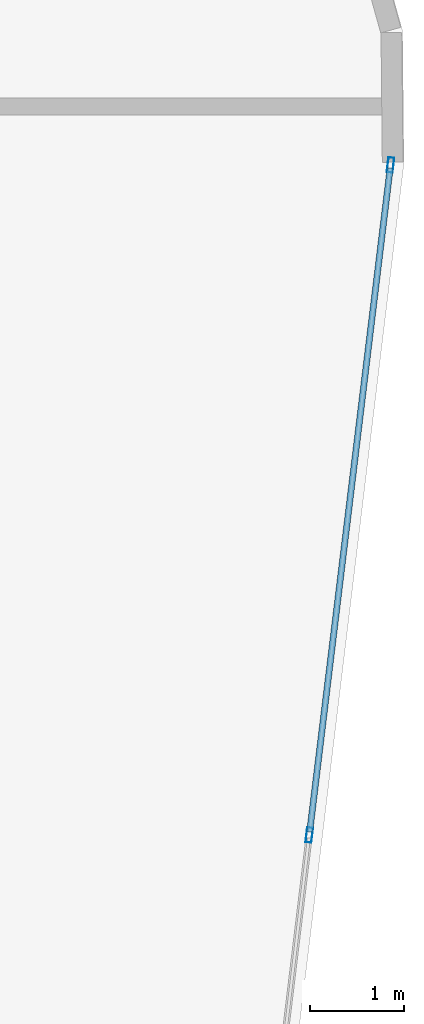
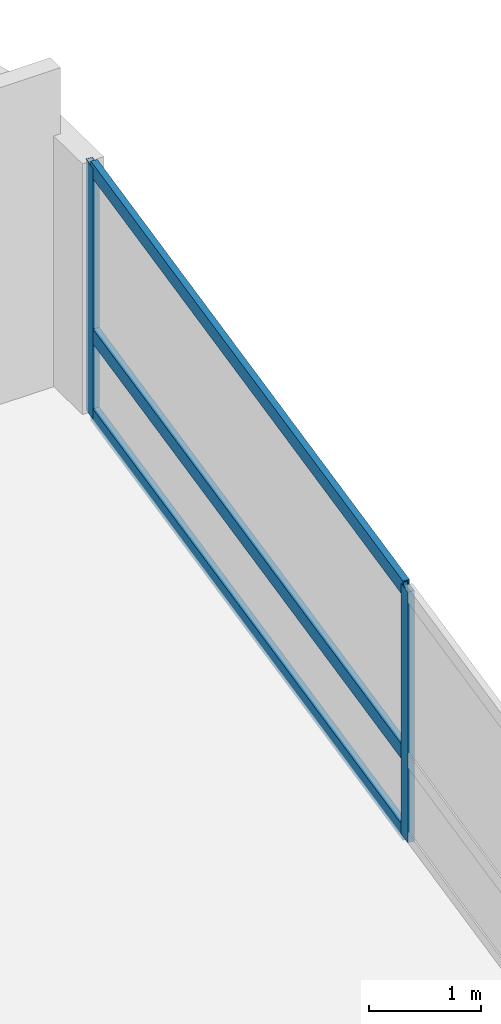
# One storey, part 18 of 26: 5 members, 1 element without a shape of its own.
"""IFC4 building model written with IfcOpenShell, lengths in metres."""

import ifcopenshell
import ifcopenshell.guid

model = None  # the IFC model being written
_history = None  # IfcOwnerHistory: only IFC2X3 demands one
_inside = {}  # id of a spatial element -> (the spatial element, [elements in it])
_under = {}  # id of a project, library or spatial element -> (it, [spatial elements below it])
_declared = {}  # id of a project -> (the project, [libraries it declares])
_typed = {}  # id of a type object -> (the type object, [elements of that type])
_made_of = {}  # id of a material, layer set ... -> (it, [elements and type objects made of it])


def new_model(schema):
    """Start an empty IFC model of exactly this schema.

    Asked for "IFC4X3", IfcOpenShell would pick the latest addendum, in which some entities
    have other attributes; the version numbers below select the first issue.
    IFC2X3 requires an IfcOwnerHistory on every rooted entity: one is made here for all.
    """
    global model, _history
    if schema == "IFC4X3":
        model = ifcopenshell.file(schema_version=(4, 3, 0, 0))
    else:
        model = ifcopenshell.file(schema=schema)
    _inside.clear()
    _under.clear()
    _declared.clear()
    _typed.clear()
    _made_of.clear()
    _history = None
    if model.schema == "IFC2X3":
        org = make("IfcOrganization", Name="unknown")
        user = make(
            "IfcPersonAndOrganization",
            ThePerson=make("IfcPerson", FamilyName="unknown"),
            TheOrganization=org,
        )
        app = make(
            "IfcApplication",
            ApplicationDeveloper=org,
            Version="unknown",
            ApplicationFullName="unknown",
            ApplicationIdentifier="unknown",
        )
        _history = make(
            "IfcOwnerHistory",
            OwningUser=user,
            OwningApplication=app,
            ChangeAction="ADDED",
            CreationDate=0,
        )
    return model


def make(cls, **values):
    """One entity of the class cls with the attributes given. An attribute that is None is left unset."""
    return model.create_entity(
        cls, **{name: value for name, value in values.items() if value is not None}
    )


def rooted(cls, **values):
    """An entity with a GlobalId (a new one), such as an element, a storey or a relation."""
    return make(cls, GlobalId=ifcopenshell.guid.new(), OwnerHistory=_history, **values)


def si_unit(unit_type, name, prefix=None):
    """IfcSIUnit, for example si_unit("LENGTHUNIT", "METRE", prefix="MILLI")."""
    return make("IfcSIUnit", UnitType=unit_type, Prefix=prefix, Name=name)


def assignment(units):
    """IfcUnitAssignment: the units of a project."""
    return None if units is None else make("IfcUnitAssignment", Units=units)


def point(xyz):
    """IfcCartesianPoint."""
    return None if xyz is None else make("IfcCartesianPoint", Coordinates=xyz)


def direction(xyz):
    """IfcDirection."""
    return None if xyz is None else make("IfcDirection", DirectionRatios=xyz)


def frame(location, z_axis=None, x_axis=None):
    """IfcAxis2Placement3D, a coordinate frame: its origin and axes. An axis left out is left unset."""
    return make(
        "IfcAxis2Placement3D",
        Location=point(location),
        Axis=direction(z_axis),
        RefDirection=direction(x_axis),
    )


def frame_2d(location, x_axis=None):
    """IfcAxis2Placement2D, a coordinate frame in the plane: its origin and x axis."""
    return make(
        "IfcAxis2Placement2D", Location=point(location), RefDirection=direction(x_axis)
    )


def origin():
    """The frame at (0, 0, 0) with its axes left unset."""
    return frame((0.0, 0.0, 0.0))


def origin_2d():
    """The frame at (0, 0) in the plane with its x axis left unset."""
    return frame_2d((0.0, 0.0))


def place(relative_to, where):
    """IfcLocalPlacement: puts the frame where relative to a parent placement (None: the world)."""
    return make(
        "IfcLocalPlacement", PlacementRelTo=relative_to, RelativePlacement=where
    )


def context(
    kind, dimensions, precision=None, world=None, true_north=None, identifier=None
):
    """IfcGeometricRepresentationContext, for example the 3D "Model" context."""
    return make(
        "IfcGeometricRepresentationContext",
        ContextIdentifier=identifier,
        ContextType=kind,
        CoordinateSpaceDimension=dimensions,
        Precision=precision,
        WorldCoordinateSystem=world,
        TrueNorth=true_north,
    )


def subcontext(parent, identifier, kind, view, scale=None):
    """IfcGeometricRepresentationSubContext, for example "Body" below "Model"."""
    return make(
        "IfcGeometricRepresentationSubContext",
        ContextIdentifier=identifier,
        ContextType=kind,
        ParentContext=parent,
        TargetScale=scale,
        TargetView=view,
    )


def project(units=None, contexts=None):
    """IfcProject with its units and contexts."""
    return rooted(
        "IfcProject",
        Name="project",
        RepresentationContexts=contexts,
        UnitsInContext=assignment(units),
    )


def spatial(cls, under=None, at=None, **own):
    """A site, building, storey or space (cls), placed at a placement, below another one or the project."""
    s = rooted(cls, ObjectPlacement=at, **own)
    if under is not None:
        _under.setdefault(under.id(), (under, []))[1].append(s)
    return s


def profile(cls, at=None, kind="AREA", **sizes):
    """A parametric profile (cls). Its sizes go by their IFC names, for example OverallWidth=200.0."""
    return make(cls, ProfileType=kind, Position=at, **sizes)


def hollow_rectangle(**sizes):
    """IfcRectangleHollowProfileDef."""
    return profile("IfcRectangleHollowProfileDef", **sizes)


def extrude(swept, where, along, depth):
    """IfcExtrudedAreaSolid: the profile swept, set in the frame where, extruded along a direction by depth."""
    return make(
        "IfcExtrudedAreaSolid",
        SweptArea=swept,
        Position=where,
        ExtrudedDirection=direction(along),
        Depth=depth,
    )


def shape(context_of_items, identifier, shape_type, items):
    """IfcShapeRepresentation: the items that make up one representation, for example the "Body"."""
    return make(
        "IfcShapeRepresentation",
        ContextOfItems=context_of_items,
        RepresentationIdentifier=identifier,
        RepresentationType=shape_type,
        Items=items,
    )


def material(Name=None, Category=None):
    """IfcMaterial."""
    return make("IfcMaterial", Name=Name, Category=Category)


def layer(
    of_material, thickness, ventilated=None, Name=None, Category=None, Priority=None
):
    """IfcMaterialLayer: one layer of a wall or slab, of a material (None: an air gap)."""
    return make(
        "IfcMaterialLayer",
        Material=of_material,
        LayerThickness=thickness,
        IsVentilated=ventilated,
        Name=Name,
        Category=Category,
        Priority=Priority,
    )


def layer_set(layers, Name=None):
    """IfcMaterialLayerSet."""
    return make("IfcMaterialLayerSet", MaterialLayers=layers, LayerSetName=Name)


def material_profile(
    of_material, cross_section, Name=None, Category=None, Priority=None
):
    """IfcMaterialProfile: a cross section and its material."""
    return make(
        "IfcMaterialProfile",
        Name=Name,
        Material=of_material,
        Profile=cross_section,
        Priority=Priority,
        Category=Category,
    )


def profile_set(profiles, Name=None, composite=None):
    """IfcMaterialProfileSet."""
    return make(
        "IfcMaterialProfileSet",
        Name=Name,
        MaterialProfiles=profiles,
        CompositeProfile=composite,
    )


def made_of(thing, what):
    """Note that an element or type object is made of a material, layer set ...; save() writes the relation."""
    if what is not None:
        _made_of.setdefault(what.id(), (what, []))[1].append(thing)
    return thing


def type_object(cls, material=None, **own):
    """A type object (cls), such as IfcWallType, which elements share."""
    return made_of(rooted(cls, **own), material)


def element(
    cls,
    number,
    at=None,
    inside=None,
    cuts=None,
    type_object=None,
    material=None,
    context=None,
    identifier="Body",
    shape_type=None,
    held_by="IfcProductDefinitionShape",
    body=None,
    shapes=None,
    **own,
):
    """One element of the class cls, such as IfcWall. Its Tag is "e" and its number.

    at: its placement. inside: the storey or other place that contains it. cuts: it is an
    opening in that element (IfcRelVoidsElement). A single representation is given by context,
    identifier, shape_type and body (its items); several are given by shapes. held_by: the class
    of the entity that holds the representations. save() writes the other relations.
    """
    e = rooted(cls, Tag="e%d" % number, ObjectPlacement=at, **own)
    if body is not None:
        shapes = [shape(context, identifier, shape_type, body)]
    if shapes is not None:
        e.Representation = make(held_by, Representations=shapes)
    if inside is not None:
        _inside.setdefault(inside.id(), (inside, []))[1].append(e)
    if cuts is not None:
        rooted(
            "IfcRelVoidsElement", RelatingBuildingElement=cuts, RelatedOpeningElement=e
        )
    if type_object is not None:
        _typed.setdefault(type_object.id(), (type_object, []))[1].append(e)
    return made_of(e, material)


def aggregate(whole, parts):
    """IfcRelAggregates: a whole, such as a stair, and the parts it consists of."""
    return rooted("IfcRelAggregates", RelatingObject=whole, RelatedObjects=parts)


def save(model, path):
    """Write the relations noted so far, then the file.

    IfcRelAggregates (storeys below a building ...), IfcRelContainedInSpatialStructure (elements
    in a storey), IfcRelDefinesByType, IfcRelAssociatesMaterial and IfcRelDeclares: one each for
    every whole, place, type object, material and project.
    """
    for whole, parts in _under.values():
        aggregate(whole, parts)
    for where, things in _inside.values():
        rooted(
            "IfcRelContainedInSpatialStructure",
            RelatedElements=things,
            RelatingStructure=where,
        )
    for kind, things in _typed.values():
        rooted("IfcRelDefinesByType", RelatedObjects=things, RelatingType=kind)
    for what, things in _made_of.values():
        rooted("IfcRelAssociatesMaterial", RelatedObjects=things, RelatingMaterial=what)
    for by, libraries in _declared.values():
        rooted("IfcRelDeclares", RelatingContext=by, RelatedDefinitions=libraries)
    model.write(path)


model = new_model("IFC4")

# Units and contexts
model_context = context("Model", 3, precision=1e-05, world=origin(), true_north=direction((0.0, 1.0)))
body_context = subcontext(model_context, "Body", "Model", "MODEL_VIEW")
ifc_project = project(units=[si_unit("LENGTHUNIT", "METRE"), si_unit("AREAUNIT", "SQUARE_METRE"), si_unit("VOLUMEUNIT", "CUBIC_METRE"), si_unit("PLANEANGLEUNIT", "RADIAN"), si_unit("MASSUNIT", "GRAM", prefix="KILO")], contexts=[model_context])

# Site, building, storey
site_placement = place(None, origin())
site = spatial("IfcSite", under=ifc_project, at=site_placement, CompositionType="ELEMENT")
building_placement = place(site_placement, origin())
building = spatial("IfcBuilding", under=site, at=building_placement, Name="Varnelok Gate Tower", CompositionType="ELEMENT")
storey_placement = place(building_placement, frame((0.0, 0.0, 155.0)))
storey = spatial("IfcBuildingStorey", under=building, at=storey_placement, Name="L39", CompositionType="ELEMENT", Elevation=155.0)

# Curtain wall, members
ifc_material = material(Name="Anodized Aluminum Alloy 6063-T6", Category="aluminium")
ifc_layer = layer(ifc_material, 0.179931640625)
ifc_layer_set = layer_set([ifc_layer], Name="Anodized Aluminum Alloy 6063-T6")
curtain_wall_type = type_object("IfcCurtainWallType", Name="CW3-HOTEL-VISION", PredefinedType="USERDEFINED", material=ifc_layer_set)
curtain_wall_placement = place(storey_placement, origin())
curtain_wall = element("IfcCurtainWall", 1, at=curtain_wall_placement, inside=storey, type_object=curtain_wall_type, Name="L39 East End Vision Curtain Wall", ObjectType="UNITISED CURTAIN WALL", PredefinedType="USERDEFINED")
ifc_material_profile_1 = material_profile(ifc_material, hollow_rectangle(XDim=0.06494140625, YDim=0.159912109375, WallThickness=0.00390625, at=origin_2d()), Name="ALU160X65X4")
ifc_profile_set_1 = profile_set([ifc_material_profile_1], Name="Anodized Aluminum Alloy 6063-T6")
member_type_1 = type_object("IfcMemberType", Name="CW-MULL-160", PredefinedType="MULLION", material=ifc_profile_set_1)
member_1_placement = place(storey_placement, frame((78.153076171875, 38.677001953125, 0.0), z_axis=(0.0, 0.0, 1.0), x_axis=(0.99273188146, -0.120347046212, 0.0)))
member_1 = element("IfcMember", 2, at=member_1_placement, type_object=member_type_1, Name="CW3 mullion 1", PredefinedType="MULLION", context=body_context, shape_type="SweptSolid", body=[
    extrude(hollow_rectangle(XDim=0.06494140625, YDim=0.159912109375, WallThickness=0.00390625, at=origin_2d()), origin(), (0.0, 0.0, 1.0), 2.72998046875),
])
member_2_placement = place(storey_placement, frame((77.290283203125, 31.5615234375, 0.0), z_axis=(0.0, 0.0, 1.0), x_axis=(0.99273188146, -0.120347046212, 0.0)))
member_2 = element("IfcMember", 3, at=member_2_placement, type_object=member_type_1, Name="CW3 mullion 2", PredefinedType="MULLION", context=body_context, shape_type="SweptSolid", body=[
    extrude(hollow_rectangle(XDim=0.06494140625, YDim=0.159912109375, WallThickness=0.00390625, at=origin_2d()), origin(), (0.0, 0.0, 1.0), 2.72998046875),
])
ifc_material_profile_2 = material_profile(ifc_material, hollow_rectangle(XDim=0.06494140625, YDim=0.159912109375, WallThickness=0.00390625, at=origin_2d()), Name="ALU160X65X4")
ifc_profile_set_2 = profile_set([ifc_material_profile_2], Name="Anodized Aluminum Alloy 6063-T6")
member_type_2 = type_object("IfcMemberType", Name="CW-TRAN-160", PredefinedType="USERDEFINED", material=ifc_profile_set_2)
member_3_placement = place(storey_placement, frame((78.149169921875, 38.644775390625, 0.032470703125), z_axis=(-0.120374481497, -0.992728555147, 0.0), x_axis=(0.992728555147, -0.120374481497, 0.0)))
member_3 = element("IfcMember", 4, at=member_3_placement, type_object=member_type_2, Name="CW3 transom 1.1", ObjectType="TRANSOM", PredefinedType="USERDEFINED", context=body_context, shape_type="SweptSolid", body=[
    extrude(hollow_rectangle(XDim=0.06494140625, YDim=0.159912109375, WallThickness=0.00390625, at=origin_2d()), origin(), (0.0, 0.0, 1.0), 7.102783203125),
])
member_4_placement = place(storey_placement, frame((78.149169921875, 38.644775390625, 0.89990234375), z_axis=(-0.120374481497, -0.992728555147, 0.0), x_axis=(0.992728555147, -0.120374481497, 0.0)))
member_4 = element("IfcMember", 5, at=member_4_placement, type_object=member_type_2, Name="CW3 transom 1.2", ObjectType="TRANSOM", PredefinedType="USERDEFINED", context=body_context, shape_type="SweptSolid", body=[
    extrude(hollow_rectangle(XDim=0.06494140625, YDim=0.159912109375, WallThickness=0.00390625, at=origin_2d()), origin(), (0.0, 0.0, 1.0), 7.102783203125),
])
member_5_placement = place(storey_placement, frame((78.149169921875, 38.644775390625, 2.697509765625), z_axis=(-0.120374481497, -0.992728555147, 0.0), x_axis=(0.992728555147, -0.120374481497, 0.0)))
member_5 = element("IfcMember", 6, at=member_5_placement, type_object=member_type_2, Name="CW3 transom 1.3", ObjectType="TRANSOM", PredefinedType="USERDEFINED", context=body_context, shape_type="SweptSolid", body=[
    extrude(hollow_rectangle(XDim=0.06494140625, YDim=0.159912109375, WallThickness=0.00390625, at=origin_2d()), origin(), (0.0, 0.0, 1.0), 7.102783203125),
])
aggregate(curtain_wall, [member_1, member_2, member_3, member_4, member_5])

save(model, "model.ifc")
